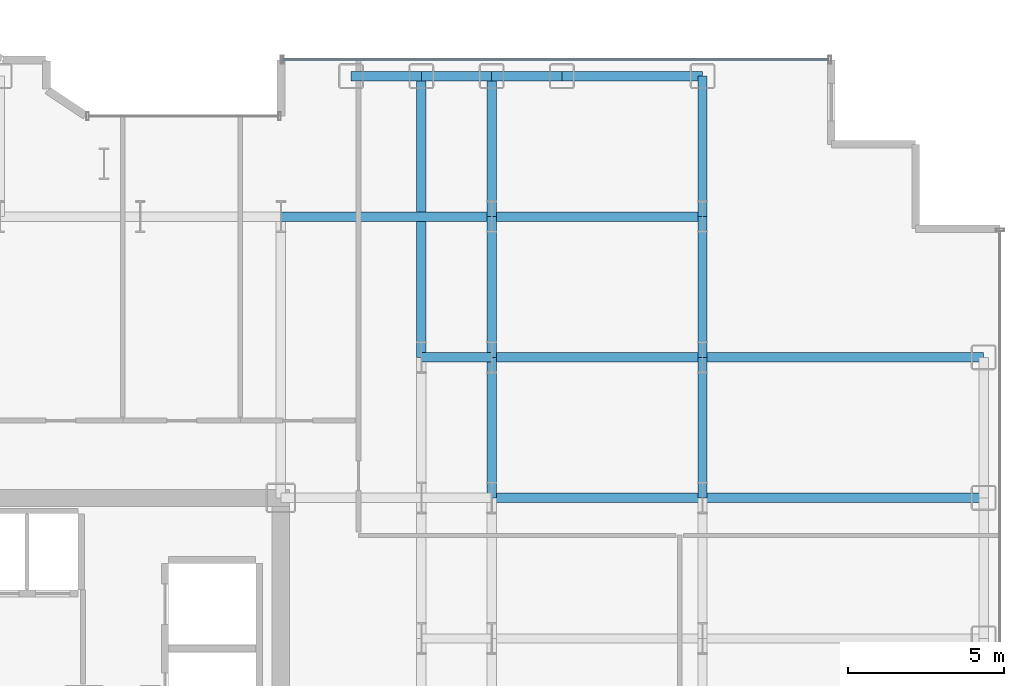
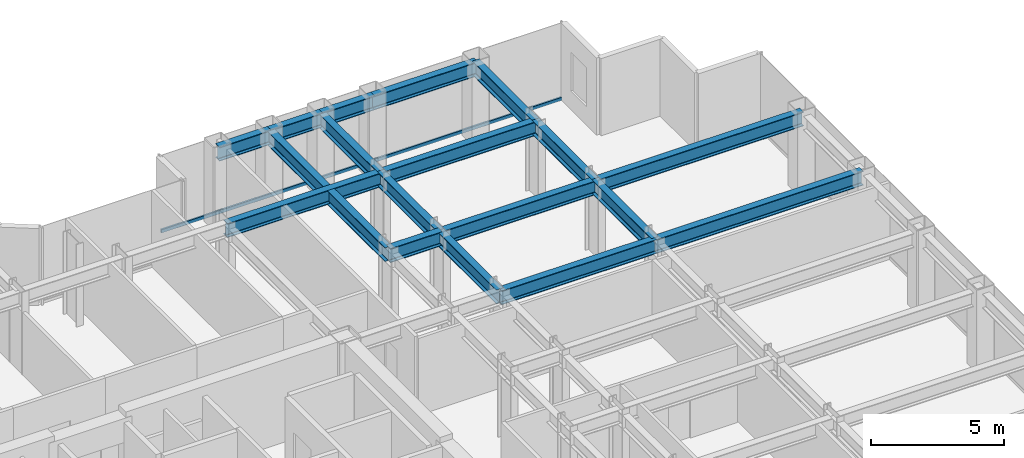
# One storey, part 13 of 26: 18 beams, 1 member, 1 element without a shape of its own.
"""IFC4 building model written with IfcOpenShell, lengths in metres."""

import ifcopenshell
import ifcopenshell.guid

model = None  # the IFC model being written
_history = None  # IfcOwnerHistory: only IFC2X3 demands one
_inside = {}  # id of a spatial element -> (the spatial element, [elements in it])
_under = {}  # id of a project, library or spatial element -> (it, [spatial elements below it])
_declared = {}  # id of a project -> (the project, [libraries it declares])
_typed = {}  # id of a type object -> (the type object, [elements of that type])
_made_of = {}  # id of a material, layer set ... -> (it, [elements and type objects made of it])


def new_model(schema):
    """Start an empty IFC model of exactly this schema.

    Asked for "IFC4X3", IfcOpenShell would pick the latest addendum, in which some entities
    have other attributes; the version numbers below select the first issue.
    IFC2X3 requires an IfcOwnerHistory on every rooted entity: one is made here for all.
    """
    global model, _history
    if schema == "IFC4X3":
        model = ifcopenshell.file(schema_version=(4, 3, 0, 0))
    else:
        model = ifcopenshell.file(schema=schema)
    _inside.clear()
    _under.clear()
    _declared.clear()
    _typed.clear()
    _made_of.clear()
    _history = None
    if model.schema == "IFC2X3":
        org = make("IfcOrganization", Name="unknown")
        user = make(
            "IfcPersonAndOrganization",
            ThePerson=make("IfcPerson", FamilyName="unknown"),
            TheOrganization=org,
        )
        app = make(
            "IfcApplication",
            ApplicationDeveloper=org,
            Version="unknown",
            ApplicationFullName="unknown",
            ApplicationIdentifier="unknown",
        )
        _history = make(
            "IfcOwnerHistory",
            OwningUser=user,
            OwningApplication=app,
            ChangeAction="ADDED",
            CreationDate=0,
        )
    return model


def make(cls, **values):
    """One entity of the class cls with the attributes given. An attribute that is None is left unset."""
    return model.create_entity(
        cls, **{name: value for name, value in values.items() if value is not None}
    )


def rooted(cls, **values):
    """An entity with a GlobalId (a new one), such as an element, a storey or a relation."""
    return make(cls, GlobalId=ifcopenshell.guid.new(), OwnerHistory=_history, **values)


def si_unit(unit_type, name, prefix=None):
    """IfcSIUnit, for example si_unit("LENGTHUNIT", "METRE", prefix="MILLI")."""
    return make("IfcSIUnit", UnitType=unit_type, Prefix=prefix, Name=name)


def assignment(units):
    """IfcUnitAssignment: the units of a project."""
    return None if units is None else make("IfcUnitAssignment", Units=units)


def point(xyz):
    """IfcCartesianPoint."""
    return None if xyz is None else make("IfcCartesianPoint", Coordinates=xyz)


def direction(xyz):
    """IfcDirection."""
    return None if xyz is None else make("IfcDirection", DirectionRatios=xyz)


def frame(location, z_axis=None, x_axis=None):
    """IfcAxis2Placement3D, a coordinate frame: its origin and axes. An axis left out is left unset."""
    return make(
        "IfcAxis2Placement3D",
        Location=point(location),
        Axis=direction(z_axis),
        RefDirection=direction(x_axis),
    )


def frame_2d(location, x_axis=None):
    """IfcAxis2Placement2D, a coordinate frame in the plane: its origin and x axis."""
    return make(
        "IfcAxis2Placement2D", Location=point(location), RefDirection=direction(x_axis)
    )


def origin():
    """The frame at (0, 0, 0) with its axes left unset."""
    return frame((0.0, 0.0, 0.0))


def origin_2d():
    """The frame at (0, 0) in the plane with its x axis left unset."""
    return frame_2d((0.0, 0.0))


def place(relative_to, where):
    """IfcLocalPlacement: puts the frame where relative to a parent placement (None: the world)."""
    return make(
        "IfcLocalPlacement", PlacementRelTo=relative_to, RelativePlacement=where
    )


def context(
    kind, dimensions, precision=None, world=None, true_north=None, identifier=None
):
    """IfcGeometricRepresentationContext, for example the 3D "Model" context."""
    return make(
        "IfcGeometricRepresentationContext",
        ContextIdentifier=identifier,
        ContextType=kind,
        CoordinateSpaceDimension=dimensions,
        Precision=precision,
        WorldCoordinateSystem=world,
        TrueNorth=true_north,
    )


def subcontext(parent, identifier, kind, view, scale=None):
    """IfcGeometricRepresentationSubContext, for example "Body" below "Model"."""
    return make(
        "IfcGeometricRepresentationSubContext",
        ContextIdentifier=identifier,
        ContextType=kind,
        ParentContext=parent,
        TargetScale=scale,
        TargetView=view,
    )


def project(units=None, contexts=None):
    """IfcProject with its units and contexts."""
    return rooted(
        "IfcProject",
        Name="project",
        RepresentationContexts=contexts,
        UnitsInContext=assignment(units),
    )


def spatial(cls, under=None, at=None, **own):
    """A site, building, storey or space (cls), placed at a placement, below another one or the project."""
    s = rooted(cls, ObjectPlacement=at, **own)
    if under is not None:
        _under.setdefault(under.id(), (under, []))[1].append(s)
    return s


def profile(cls, at=None, kind="AREA", **sizes):
    """A parametric profile (cls). Its sizes go by their IFC names, for example OverallWidth=200.0."""
    return make(cls, ProfileType=kind, Position=at, **sizes)


def hollow_rectangle(**sizes):
    """IfcRectangleHollowProfileDef."""
    return profile("IfcRectangleHollowProfileDef", **sizes)


def i_section(**sizes):
    """IfcIShapeProfileDef."""
    return profile("IfcIShapeProfileDef", **sizes)


def extrude(swept, where, along, depth):
    """IfcExtrudedAreaSolid: the profile swept, set in the frame where, extruded along a direction by depth."""
    return make(
        "IfcExtrudedAreaSolid",
        SweptArea=swept,
        Position=where,
        ExtrudedDirection=direction(along),
        Depth=depth,
    )


def shape(context_of_items, identifier, shape_type, items):
    """IfcShapeRepresentation: the items that make up one representation, for example the "Body"."""
    return make(
        "IfcShapeRepresentation",
        ContextOfItems=context_of_items,
        RepresentationIdentifier=identifier,
        RepresentationType=shape_type,
        Items=items,
    )


def source(mapping_origin, context_of_items, identifier, shape_type, items):
    """IfcRepresentationMap: a shape defined once, which mapped items show again and again."""
    return make(
        "IfcRepresentationMap",
        MappingOrigin=mapping_origin,
        MappedRepresentation=shape(context_of_items, identifier, shape_type, items),
    )


def transform(
    local_origin,
    x_axis=None,
    y_axis=None,
    z_axis=None,
    scale=None,
    scale2=None,
    scale3=None,
    uniform=True,
):
    """IfcCartesianTransformationOperator3D, or its non-uniform kind. x_axis, y_axis, z_axis: its Axis1, 2, 3."""
    if uniform:
        return make(
            "IfcCartesianTransformationOperator3D",
            Axis1=direction(x_axis),
            Axis2=direction(y_axis),
            LocalOrigin=point(local_origin),
            Scale=scale,
            Axis3=direction(z_axis),
        )
    return make(
        "IfcCartesianTransformationOperator3DnonUniform",
        Axis1=direction(x_axis),
        Axis2=direction(y_axis),
        LocalOrigin=point(local_origin),
        Scale=scale,
        Axis3=direction(z_axis),
        Scale2=scale2,
        Scale3=scale3,
    )


def mapped(mapping_source, mapping_target):
    """IfcMappedItem: shows the shape of a source again, moved by a transform."""
    return make(
        "IfcMappedItem", MappingSource=mapping_source, MappingTarget=mapping_target
    )


def material(Name=None, Category=None):
    """IfcMaterial."""
    return make("IfcMaterial", Name=Name, Category=Category)


def layer(
    of_material, thickness, ventilated=None, Name=None, Category=None, Priority=None
):
    """IfcMaterialLayer: one layer of a wall or slab, of a material (None: an air gap)."""
    return make(
        "IfcMaterialLayer",
        Material=of_material,
        LayerThickness=thickness,
        IsVentilated=ventilated,
        Name=Name,
        Category=Category,
        Priority=Priority,
    )


def layer_set(layers, Name=None):
    """IfcMaterialLayerSet."""
    return make("IfcMaterialLayerSet", MaterialLayers=layers, LayerSetName=Name)


def material_profile(
    of_material, cross_section, Name=None, Category=None, Priority=None
):
    """IfcMaterialProfile: a cross section and its material."""
    return make(
        "IfcMaterialProfile",
        Name=Name,
        Material=of_material,
        Profile=cross_section,
        Priority=Priority,
        Category=Category,
    )


def profile_set(profiles, Name=None, composite=None):
    """IfcMaterialProfileSet."""
    return make(
        "IfcMaterialProfileSet",
        Name=Name,
        MaterialProfiles=profiles,
        CompositeProfile=composite,
    )


def made_of(thing, what):
    """Note that an element or type object is made of a material, layer set ...; save() writes the relation."""
    if what is not None:
        _made_of.setdefault(what.id(), (what, []))[1].append(thing)
    return thing


def type_object(cls, material=None, **own):
    """A type object (cls), such as IfcWallType, which elements share."""
    return made_of(rooted(cls, **own), material)


def element(
    cls,
    number,
    at=None,
    inside=None,
    cuts=None,
    type_object=None,
    material=None,
    context=None,
    identifier="Body",
    shape_type=None,
    held_by="IfcProductDefinitionShape",
    body=None,
    shapes=None,
    **own,
):
    """One element of the class cls, such as IfcWall. Its Tag is "e" and its number.

    at: its placement. inside: the storey or other place that contains it. cuts: it is an
    opening in that element (IfcRelVoidsElement). A single representation is given by context,
    identifier, shape_type and body (its items); several are given by shapes. held_by: the class
    of the entity that holds the representations. save() writes the other relations.
    """
    e = rooted(cls, Tag="e%d" % number, ObjectPlacement=at, **own)
    if body is not None:
        shapes = [shape(context, identifier, shape_type, body)]
    if shapes is not None:
        e.Representation = make(held_by, Representations=shapes)
    if inside is not None:
        _inside.setdefault(inside.id(), (inside, []))[1].append(e)
    if cuts is not None:
        rooted(
            "IfcRelVoidsElement", RelatingBuildingElement=cuts, RelatedOpeningElement=e
        )
    if type_object is not None:
        _typed.setdefault(type_object.id(), (type_object, []))[1].append(e)
    return made_of(e, material)


def aggregate(whole, parts):
    """IfcRelAggregates: a whole, such as a stair, and the parts it consists of."""
    return rooted("IfcRelAggregates", RelatingObject=whole, RelatedObjects=parts)


def save(model, path):
    """Write the relations noted so far, then the file.

    IfcRelAggregates (storeys below a building ...), IfcRelContainedInSpatialStructure (elements
    in a storey), IfcRelDefinesByType, IfcRelAssociatesMaterial and IfcRelDeclares: one each for
    every whole, place, type object, material and project.
    """
    for whole, parts in _under.values():
        aggregate(whole, parts)
    for where, things in _inside.values():
        rooted(
            "IfcRelContainedInSpatialStructure",
            RelatedElements=things,
            RelatingStructure=where,
        )
    for kind, things in _typed.values():
        rooted("IfcRelDefinesByType", RelatedObjects=things, RelatingType=kind)
    for what, things in _made_of.values():
        rooted("IfcRelAssociatesMaterial", RelatedObjects=things, RelatingMaterial=what)
    for by, libraries in _declared.values():
        rooted("IfcRelDeclares", RelatingContext=by, RelatedDefinitions=libraries)
    model.write(path)


model = new_model("IFC4")

# Units and contexts
model_context = context("Model", 3, precision=1e-05, world=origin(), true_north=direction((0.0, 1.0)))
body_context = subcontext(model_context, "Body", "Model", "MODEL_VIEW")
ifc_project = project(units=[si_unit("LENGTHUNIT", "METRE"), si_unit("AREAUNIT", "SQUARE_METRE"), si_unit("VOLUMEUNIT", "CUBIC_METRE"), si_unit("PLANEANGLEUNIT", "RADIAN"), si_unit("MASSUNIT", "GRAM", prefix="KILO")], contexts=[model_context])

# Site, building, storey
site_placement = place(None, origin())
site = spatial("IfcSite", under=ifc_project, at=site_placement, CompositionType="ELEMENT")
building_placement = place(site_placement, origin())
building = spatial("IfcBuilding", under=site, at=building_placement, Name="Nefas-Gora Pilgrimage Tower", CompositionType="ELEMENT")
storey_placement = place(building_placement, frame((0.0, 0.0, 117.39990234375)))
storey = spatial("IfcBuildingStorey", under=building, at=storey_placement, Name="L28", CompositionType="ELEMENT", Elevation=117.39990234375)

# Beams
ifc_material_1 = material(Name="Steel S355", Category="steel")
ifc_material_profile_1 = material_profile(ifc_material_1, i_section(OverallWidth=0.300048828125, OverallDepth=0.64990234375, WebThickness=0.01611328125, FlangeThickness=0.031005859375, FilletRadius=0.027099609375, at=origin_2d()), Name="HEB 650")
ifc_profile_set_1 = profile_set([ifc_material_profile_1], Name="Steel S355")
beam_type_1 = type_object("IfcBeamType", Name="BM-SPN-HEB500", PredefinedType="SPANDREL", material=ifc_profile_set_1)
shared_shape_1 = source(origin(), body_context, "Body", "SweptSolid", [
    extrude(i_section(OverallWidth=0.300048828125, OverallDepth=0.64990234375, WebThickness=0.01611328125, FlangeThickness=0.031005859375, FilletRadius=0.027099609375, at=origin_2d()), origin(), (0.0, 0.0, 1.0), 4.5),
])
beam_1_placement = place(storey_placement, frame((20.25, 22.5, 3.22509765625), z_axis=(1.0, 0.0, 0.0), x_axis=(0.0, 1.0, 0.0)))
element("IfcBeam", 1, at=beam_1_placement, inside=storey, type_object=beam_type_1, Name="L28 SP-02 beam", PredefinedType="SPANDREL", context=body_context, shape_type="MappedRepresentation", body=[
    mapped(shared_shape_1, transform((0.0, 0.0, 0.0), x_axis=(1.0, 0.0, 0.0), y_axis=(0.0, 1.0, 0.0), z_axis=(0.0, 0.0, 1.0), scale=1.0)),
])
ifc_material_profile_2 = material_profile(ifc_material_1, i_section(OverallWidth=0.300048828125, OverallDepth=0.64990234375, WebThickness=0.01611328125, FlangeThickness=0.031005859375, FilletRadius=0.027099609375, at=origin_2d()), Name="HEB 650")
ifc_profile_set_2 = profile_set([ifc_material_profile_2], Name="Steel S355")
beam_type_2 = type_object("IfcBeamType", Name="BM-GIR-HEB650", PredefinedType="BEAM", material=ifc_profile_set_2)
shared_shape_2 = source(origin(), body_context, "Body", "SweptSolid", [
    extrude(i_section(OverallWidth=0.300048828125, OverallDepth=0.64990234375, WebThickness=0.01611328125, FlangeThickness=0.031005859375, FilletRadius=0.027099609375, at=origin_2d()), origin(), (0.0, 0.0, 1.0), 9.0),
])
for number, where, z_axis, x_axis, name in (
    (2, (15.75, 13.5, 3.22509765625), (0.0, 1.0, 0.0), (-1.0, 0.0, 0.0), "L28 G-03 beam"),
    (3, (24.75, 9.0, 3.22509765625), (1.0, 0.0, 0.0), (0.0, 1.0, 0.0), "L28 G-03 beam"),
    (4, (24.75, 13.5, 3.22509765625), (1.0, 0.0, 0.0), (0.0, 1.0, 0.0), "L28 G-03 beam"),
):
    element("IfcBeam", number, at=place(storey_placement, frame(where, z_axis=z_axis, x_axis=x_axis)), inside=storey, type_object=beam_type_2, Name=name, PredefinedType="BEAM", context=body_context, shape_type="MappedRepresentation", body=[
        mapped(shared_shape_2, transform((0.0, 0.0, 0.0), x_axis=(1.0, 0.0, 0.0), y_axis=(0.0, 1.0, 0.0), z_axis=(0.0, 0.0, 1.0), scale=1.0)),
    ])
shared_shape_3 = source(origin(), body_context, "Body", "SweptSolid", [
    extrude(i_section(OverallWidth=0.300048828125, OverallDepth=0.64990234375, WebThickness=0.01611328125, FlangeThickness=0.031005859375, FilletRadius=0.027099609375, at=origin_2d()), origin(), (0.0, 0.0, 1.0), 4.5),
])
for number, where, z_axis, x_axis, name in (
    (5, (18.0, 9.0, 3.22509765625), (0.0, 1.0, 0.0), (-1.0, 0.0, 0.0), "L28 G-03 beam"),
    (6, (18.0, 13.5, 3.22509765625), (0.0, 1.0, 0.0), (-1.0, 0.0, 0.0), "L28 G-03 beam"),
    (7, (18.0, 18.0, 3.22509765625), (0.0, 1.0, 0.0), (-1.0, 0.0, 0.0), "L28 G-03 beam"),
    (8, (24.75, 9.0, 3.22509765625), (0.0, 1.0, 0.0), (-1.0, 0.0, 0.0), "L28 G-03 beam"),
    (9, (24.75, 13.5, 3.22509765625), (0.0, 1.0, 0.0), (-1.0, 0.0, 0.0), "L28 G-03 beam"),
    (10, (24.75, 18.0, 3.22509765625), (0.0, 1.0, 0.0), (-1.0, 0.0, 0.0), "L28 G-03 beam"),
):
    element("IfcBeam", number, at=place(storey_placement, frame(where, z_axis=z_axis, x_axis=x_axis)), inside=storey, type_object=beam_type_2, Name=name, PredefinedType="BEAM", context=body_context, shape_type="MappedRepresentation", body=[
        mapped(shared_shape_3, transform((0.0, 0.0, 0.0), x_axis=(1.0, 0.0, 0.0), y_axis=(0.0, 1.0, 0.0), z_axis=(0.0, 0.0, 1.0), scale=1.0)),
    ])
shared_shape_4 = source(origin(), body_context, "Body", "SweptSolid", [
    extrude(i_section(OverallWidth=0.300048828125, OverallDepth=0.64990234375, WebThickness=0.01611328125, FlangeThickness=0.031005859375, FilletRadius=0.027099609375, at=origin_2d()), origin(), (0.0, 0.0, 1.0), 6.75),
])
for number, where, z_axis, x_axis, name in (
    (11, (11.25, 18.0, 3.22509765625), (1.0, 0.0, 0.0), (0.0, 1.0, 0.0), "L28 G-03 beam"),
    (12, (18.0, 9.0, 3.22509765625), (1.0, 0.0, 0.0), (0.0, 1.0, 0.0), "L28 G-03 beam"),
    (13, (18.0, 13.5, 3.22509765625), (1.0, 0.0, 0.0), (0.0, 1.0, 0.0), "L28 G-03 beam"),
    (14, (18.0, 18.0, 3.22509765625), (1.0, 0.0, 0.0), (0.0, 1.0, 0.0), "L28 G-03 beam"),
):
    element("IfcBeam", number, at=place(storey_placement, frame(where, z_axis=z_axis, x_axis=x_axis)), inside=storey, type_object=beam_type_2, Name=name, PredefinedType="BEAM", context=body_context, shape_type="MappedRepresentation", body=[
        mapped(shared_shape_4, transform((0.0, 0.0, 0.0), x_axis=(1.0, 0.0, 0.0), y_axis=(0.0, 1.0, 0.0), z_axis=(0.0, 0.0, 1.0), scale=1.0)),
    ])
shared_shape_5 = source(origin(), body_context, "Body", "SweptSolid", [
    extrude(i_section(OverallWidth=0.300048828125, OverallDepth=0.64990234375, WebThickness=0.01611328125, FlangeThickness=0.031005859375, FilletRadius=0.027099609375, at=origin_2d()), origin(), (0.0, 0.0, 1.0), 2.25),
])
for number, where, z_axis, x_axis, name in (
    (15, (13.5, 22.5, 3.22509765625), (1.0, 0.0, 0.0), (0.0, 1.0, 0.0), "L28 SP-02 beam"),
    (16, (15.75, 22.5, 3.22509765625), (1.0, 0.0, 0.0), (0.0, 1.0, 0.0), "L28 SP-02 beam"),
    (17, (18.0, 22.5, 3.22509765625), (1.0, 0.0, 0.0), (0.0, 1.0, 0.0), "L28 SP-02 beam"),
):
    element("IfcBeam", number, at=place(storey_placement, frame(where, z_axis=z_axis, x_axis=x_axis)), inside=storey, type_object=beam_type_1, Name=name, PredefinedType="SPANDREL", context=body_context, shape_type="MappedRepresentation", body=[
        mapped(shared_shape_5, transform((0.0, 0.0, 0.0), x_axis=(1.0, 0.0, 0.0), y_axis=(0.0, 1.0, 0.0), z_axis=(0.0, 0.0, 1.0), scale=1.0)),
    ])
shared_shape_6 = source(origin(), body_context, "Body", "SweptSolid", [
    extrude(i_section(OverallWidth=0.300048828125, OverallDepth=0.64990234375, WebThickness=0.01611328125, FlangeThickness=0.031005859375, FilletRadius=0.027099609375, at=origin_2d()), origin(), (0.0, 0.0, 1.0), 2.25),
])
beam_2_placement = place(storey_placement, frame((15.75, 13.5, 3.22509765625), z_axis=(1.0, 0.0, 0.0), x_axis=(0.0, 1.0, 0.0)))
element("IfcBeam", 18, at=beam_2_placement, inside=storey, type_object=beam_type_2, Name="L28 G-03 beam", PredefinedType="BEAM", context=body_context, shape_type="MappedRepresentation", body=[
    mapped(shared_shape_6, transform((0.0, 0.0, 0.0), x_axis=(1.0, 0.0, 0.0), y_axis=(0.0, 1.0, 0.0), z_axis=(0.0, 0.0, 1.0), scale=1.0)),
])

# Curtain wall, member
ifc_material_2 = material(Name="Dark ceramic-fritted solar-control aluminium-glass curtain wall", Category="aluminium")
ifc_layer = layer(ifc_material_2, 0.219970703125)
ifc_layer_set = layer_set([ifc_layer], Name="Dark ceramic-fritted solar-control aluminium-glass curtain wall")
curtain_wall_type = type_object("IfcCurtainWallType", Name="CW-SYS-2", PredefinedType="NOTDEFINED", material=ifc_layer_set)
curtain_wall_placement = place(storey_placement, origin())
curtain_wall = element("IfcCurtainWall", 19, at=curtain_wall_placement, inside=storey, type_object=curtain_wall_type, Name="L28 Unitised Curtain Wall CW2", PredefinedType="NOTDEFINED")
ifc_material_3 = material(Name="Anodised architectural aluminium", Category="aluminium")
ifc_material_profile_3 = material_profile(ifc_material_3, hollow_rectangle(XDim=0.080078125, YDim=0.159912109375, WallThickness=0.00439453125, InnerFilletRadius=0.00439453125, OuterFilletRadius=0.009033203125, at=origin_2d()), Name="ALU TRANSOM 80x160")
ifc_profile_set_3 = profile_set([ifc_material_profile_3], Name="Anodised architectural aluminium")
member_type = type_object("IfcMemberType", Name="CWM-TRN-2", PredefinedType="USERDEFINED", material=ifc_profile_set_3)
shared_shape_7 = source(origin(), body_context, "Body", "SweptSolid", [
    extrude(hollow_rectangle(XDim=0.080078125, YDim=0.159912109375, WallThickness=0.00439453125, InnerFilletRadius=0.00439453125, OuterFilletRadius=0.009033203125, at=origin_2d()), origin(), (0.0, 0.0, 1.0), 17.43994140625),
])
member_placement = place(storey_placement, frame((28.780029296875, 23.02001953125, 0.050048828125), z_axis=(-1.0, 0.0, 0.0), x_axis=(0.0, -1.0, 0.0)))
member = element("IfcMember", 20, at=member_placement, type_object=member_type, Name="CW2 Spandrel Transom", ObjectType="TRANSOM", PredefinedType="USERDEFINED", context=body_context, shape_type="MappedRepresentation", body=[
    mapped(shared_shape_7, transform((0.0, 0.0, 0.0), x_axis=(1.0, 0.0, 0.0), y_axis=(0.0, 1.0, 0.0), z_axis=(0.0, 0.0, 1.0), scale=1.0)),
])
aggregate(curtain_wall, [member])

save(model, "model.ifc")
